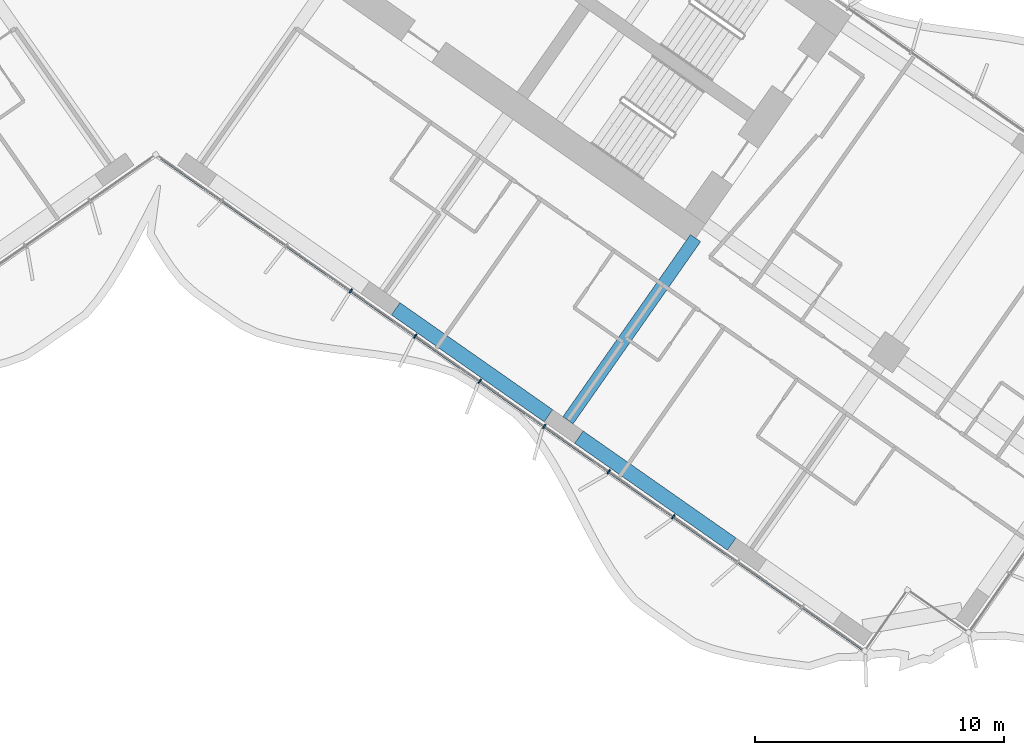
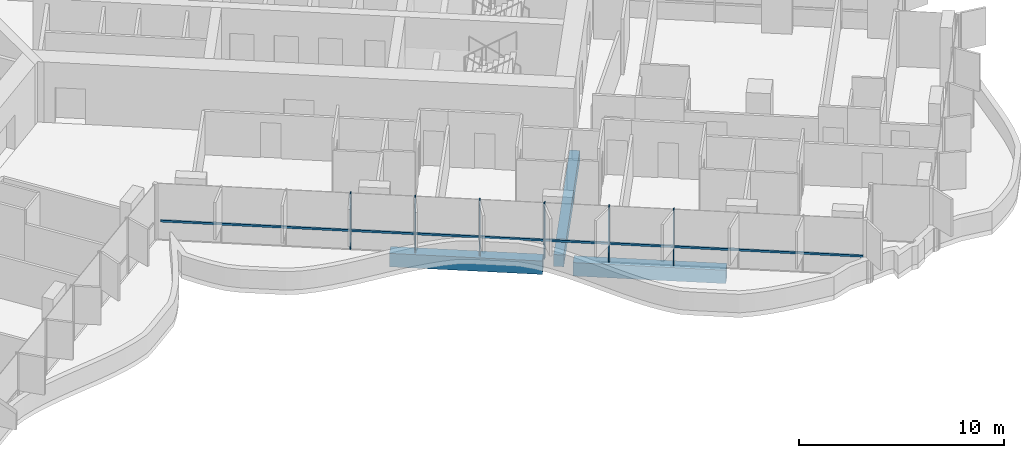
# One storey, part 5 of 25: 7 members, 3 beams, 1 element without a shape of its own.
"""IFC4 building model written with IfcOpenShell, lengths in metres."""

from ifc_helpers import new_model, si_unit, direction, frame, origin, origin_2d, place, context, subcontext, project, spatial, rectangle, extrude, material, material_profile, profile_set, type_object, element, aggregate, save


model = new_model("IFC4")

# Units and contexts
model_context = context("Model", 3, precision=1e-05, world=origin(), true_north=direction((0.0, 1.0)))
body_context = subcontext(model_context, "Body", "Model", "MODEL_VIEW")
ifc_project = project(units=[si_unit("LENGTHUNIT", "METRE"), si_unit("AREAUNIT", "SQUARE_METRE"), si_unit("VOLUMEUNIT", "CUBIC_METRE"), si_unit("PLANEANGLEUNIT", "RADIAN"), si_unit("MASSUNIT", "GRAM", prefix="KILO")], contexts=[model_context])

# Site, building, storey
site_placement = place(None, origin())
site = spatial("IfcSite", under=ifc_project, at=site_placement, CompositionType="ELEMENT")
building_placement = place(site_placement, origin())
building = spatial("IfcBuilding", under=site, at=building_placement, Name="Tel Ilan Convention Tower", CompositionType="ELEMENT")
storey_placement = place(building_placement, frame((0.0, 0.0, 97.699951171875)))
storey = spatial("IfcBuildingStorey", under=building, at=storey_placement, Name="L20", CompositionType="ELEMENT", Elevation=97.699951171875)

# Beams
ifc_material_1 = material(Name="Concrete C40/50", Category="concrete")
ifc_material_profile_1 = material_profile(ifc_material_1, rectangle(XDim=0.5, YDim=0.699951171875, at=origin_2d()), Name="RC 500x700")
ifc_profile_set_1 = profile_set([ifc_material_profile_1], Name="Concrete C40/50")
beam_type_1 = type_object("IfcBeamType", Name="Beam RC 500x700 Concrete C40/50", PredefinedType="BEAM", material=ifc_profile_set_1)
beam_placement = place(storey_placement, frame((16.58203125, -23.391357421875, -0.6298828125), z_axis=(0.573584999642, 0.819146048141, 0.0), x_axis=(-0.819146048141, 0.573584999642, 0.0)))
element("IfcBeam", 1, at=beam_placement, inside=storey, type_object=beam_type_1, Name="L20 beam E-E-F3-core", PredefinedType="BEAM", context=body_context, shape_type="SweptSolid", body=[
    extrude(rectangle(XDim=0.5, YDim=0.699951171875, at=origin_2d()), origin(), (0.0, 0.0, 1.0), 8.949951171875),
])
ifc_material_2 = material(Name="Concrete C40/50", Category="concrete")
ifc_material_profile_2 = material_profile(ifc_material_2, rectangle(XDim=0.60009765625, YDim=0.800048828125, at=origin_2d()), Name="RC 600x800")
ifc_profile_set_2 = profile_set([ifc_material_profile_2], Name="Concrete C40/50")
beam_type_2 = type_object("IfcBeamType", Name="Beam RC 600x800 Concrete C40/50", PredefinedType="BEAM", material=ifc_profile_set_2)
for number, where, z_axis, x_axis, name in (
    (2, (9.652099609375, -18.905029296875, -0.679931640625), (0.81915238829, -0.573575945067, 0.0), (0.573575945067, 0.81915238829, 0.0), "L20 beam E-E-F2-E-F3"),
    (3, (17.0244140625, -24.0673828125, -0.679931640625), (0.81915238829, -0.573575945067, 0.0), (0.573575945067, 0.81915238829, 0.0), "L20 beam E-E-F3-E-F4"),
):
    element("IfcBeam", number, at=place(storey_placement, frame(where, z_axis=z_axis, x_axis=x_axis)), inside=storey, type_object=beam_type_2, Name=name, PredefinedType="BEAM", context=body_context, shape_type="SweptSolid", body=[
        extrude(rectangle(XDim=0.60009765625, YDim=0.800048828125, at=origin_2d()), origin(), (0.0, 0.0, 1.0), 7.5),
    ])

# Curtain wall, members
ifc_material_3 = material(Name="Aluminium, bronze anodised", Category="aluminium")
curtain_wall_type = type_object("IfcCurtainWallType", Name="CW1 UNITISED CURTAIN WALL, HOTEL TINTED GLASS", PredefinedType="NOTDEFINED", material=ifc_material_3)
curtain_wall_placement = place(storey_placement, origin())
curtain_wall = element("IfcCurtainWall", 4, at=curtain_wall_placement, inside=storey, type_object=curtain_wall_type, Name="Curtain wall CW1-18.06", PredefinedType="NOTDEFINED")
ifc_material_4 = material(Name="Aluminium, bronze anodised", Category="aluminium")
ifc_material_profile_3 = material_profile(ifc_material_4, rectangle(XDim=0.06005859375, YDim=0.199951171875, at=origin_2d()), Name="CW MULLION 60x200")
ifc_profile_set_3 = profile_set([ifc_material_profile_3], Name="Aluminium, bronze anodised")
member_type_1 = type_object("IfcMemberType", Name="CW MULLION 60x200", PredefinedType="MULLION", material=ifc_profile_set_3)
member_1_placement = place(storey_placement, frame((7.842529296875, -18.1875, 0.0), z_axis=(0.0, 0.0, 1.0), x_axis=(0.819152044289, -0.573576436351, 0.0)))
member_1 = element("IfcMember", 5, at=member_1_placement, type_object=member_type_1, Name="Mullion", PredefinedType="MULLION", context=body_context, shape_type="SweptSolid", body=[
    extrude(rectangle(XDim=0.06005859375, YDim=0.199951171875, at=origin_2d()), origin(), (0.0, 0.0, 1.0), 3.320068359375),
])
member_2_placement = place(storey_placement, frame((10.4375, -20.004638671875, 0.0), z_axis=(0.0, 0.0, 1.0), x_axis=(0.819152044289, -0.573576436351, 0.0)))
member_2 = element("IfcMember", 6, at=member_2_placement, type_object=member_type_1, Name="Mullion", PredefinedType="MULLION", context=body_context, shape_type="SweptSolid", body=[
    extrude(rectangle(XDim=0.06005859375, YDim=0.199951171875, at=origin_2d()), origin(), (0.0, 0.0, 1.0), 3.320068359375),
])
member_3_placement = place(storey_placement, frame((13.03271484375, -21.821533203125, 0.0), z_axis=(0.0, 0.0, 1.0), x_axis=(0.819152044289, -0.573576436351, 0.0)))
member_3 = element("IfcMember", 7, at=member_3_placement, type_object=member_type_1, Name="Mullion", PredefinedType="MULLION", context=body_context, shape_type="SweptSolid", body=[
    extrude(rectangle(XDim=0.06005859375, YDim=0.199951171875, at=origin_2d()), origin(), (0.0, 0.0, 1.0), 3.320068359375),
])
member_4_placement = place(storey_placement, frame((15.627685546875, -23.638671875, 0.0), z_axis=(0.0, 0.0, 1.0), x_axis=(0.819152044289, -0.573576436351, 0.0)))
member_4 = element("IfcMember", 8, at=member_4_placement, type_object=member_type_1, Name="Mullion", PredefinedType="MULLION", context=body_context, shape_type="SweptSolid", body=[
    extrude(rectangle(XDim=0.06005859375, YDim=0.199951171875, at=origin_2d()), origin(), (0.0, 0.0, 1.0), 3.320068359375),
])
member_5_placement = place(storey_placement, frame((18.222900390625, -25.455810546875, 0.0), z_axis=(0.0, 0.0, 1.0), x_axis=(0.819152044289, -0.573576436351, 0.0)))
member_5 = element("IfcMember", 9, at=member_5_placement, type_object=member_type_1, Name="Mullion", PredefinedType="MULLION", context=body_context, shape_type="SweptSolid", body=[
    extrude(rectangle(XDim=0.06005859375, YDim=0.199951171875, at=origin_2d()), origin(), (0.0, 0.0, 1.0), 3.320068359375),
])
member_6_placement = place(storey_placement, frame((20.81787109375, -27.27294921875, 0.0), z_axis=(0.0, 0.0, 1.0), x_axis=(0.819152044289, -0.573576436351, 0.0)))
member_6 = element("IfcMember", 10, at=member_6_placement, type_object=member_type_1, Name="Mullion", PredefinedType="MULLION", context=body_context, shape_type="SweptSolid", body=[
    extrude(rectangle(XDim=0.06005859375, YDim=0.199951171875, at=origin_2d()), origin(), (0.0, 0.0, 1.0), 3.320068359375),
])
ifc_material_5 = material(Name="Aluminium, bronze anodised", Category="aluminium")
ifc_material_profile_4 = material_profile(ifc_material_5, rectangle(XDim=0.10009765625, YDim=0.1201171875, at=origin_2d()), Name="CW TRANSOM 100x120")
ifc_profile_set_4 = profile_set([ifc_material_profile_4], Name="Aluminium, bronze anodised")
member_type_2 = type_object("IfcMemberType", Name="CW TRANSOM 100x120", PredefinedType="USERDEFINED", material=ifc_profile_set_4)
member_7_placement = place(storey_placement, frame((0.22119140625, -12.850830078125, 1.10009765625), z_axis=(0.819151003602, -0.573577922604, 0.0), x_axis=(0.573577922604, 0.819151003602, 0.0)))
member_7 = element("IfcMember", 11, at=member_7_placement, type_object=member_type_2, Name="Transom", ObjectType="TRANSOM", PredefinedType="USERDEFINED", context=body_context, shape_type="SweptSolid", body=[
    extrude(rectangle(XDim=0.10009765625, YDim=0.1201171875, at=origin_2d()), origin(), (0.0, 0.0, 1.0), 34.447998046875),
])
aggregate(curtain_wall, [member_1, member_2, member_3, member_4, member_5, member_6, member_7])

save(model, "model.ifc")
